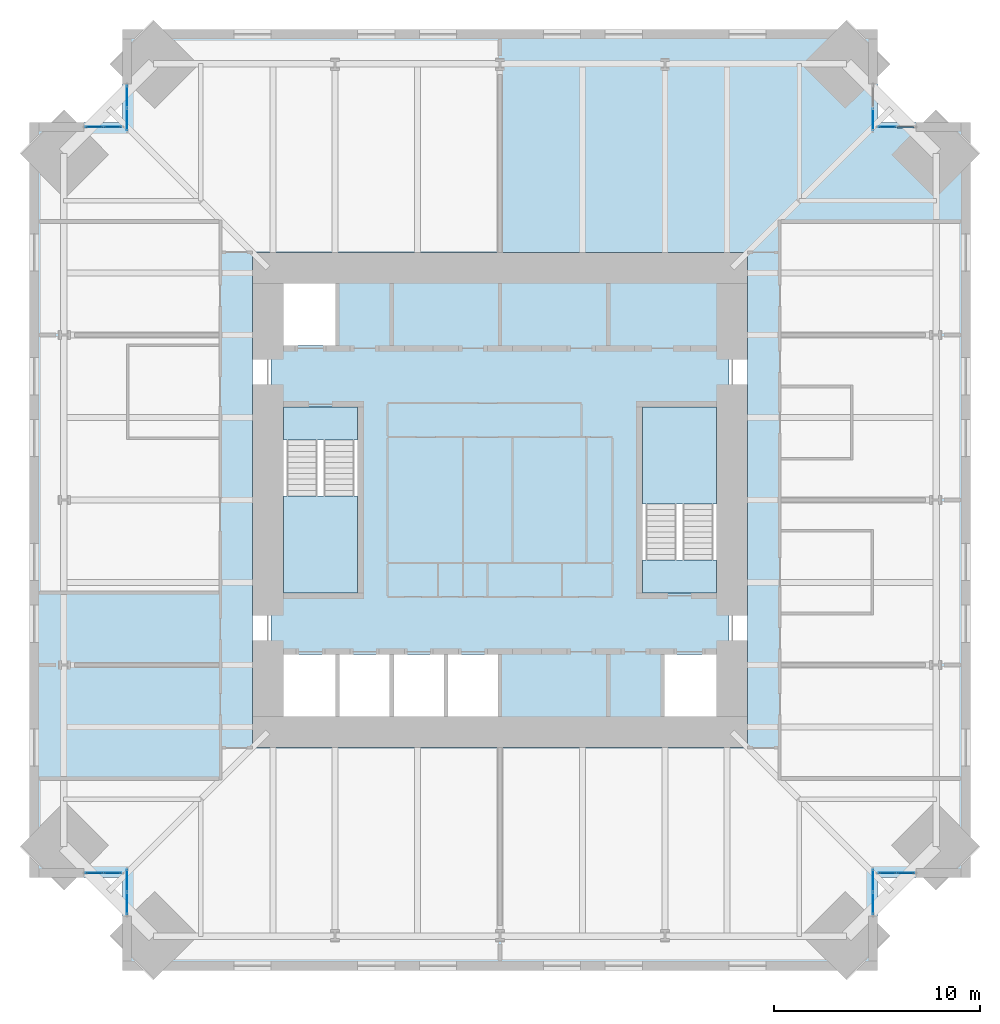
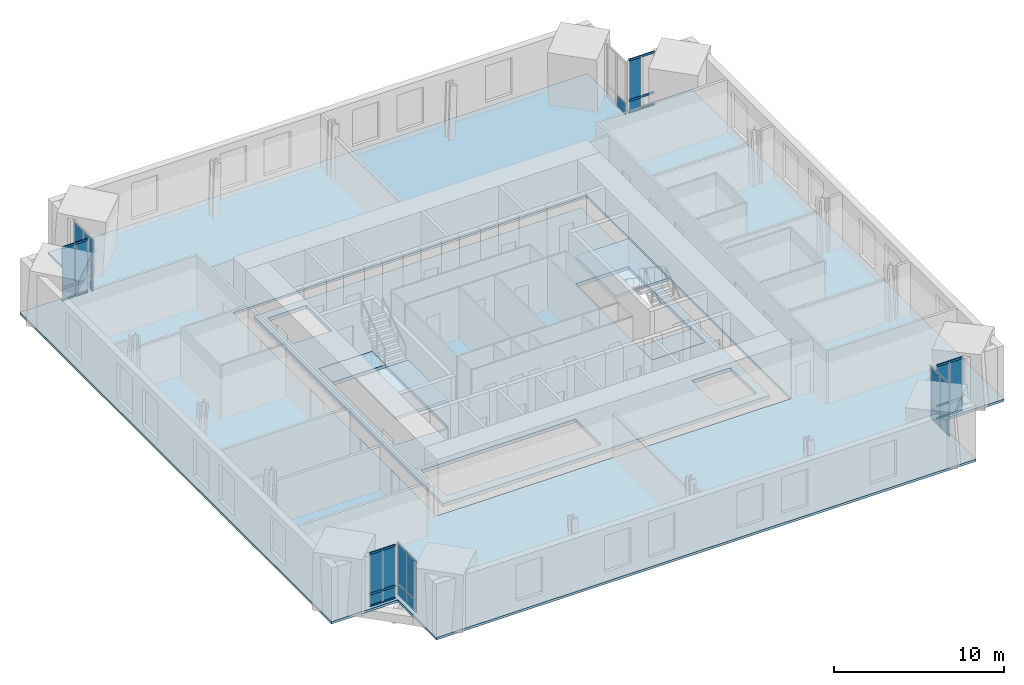
# One storey, part 9 of 15: 27 plates, 24 members, 6 slabs, 10 elements without a shape of their own.
"""IFC4 building model written with IfcOpenShell, lengths in metres."""

import ifcopenshell
import ifcopenshell.guid

model = None  # the IFC model being written
_history = None  # IfcOwnerHistory: only IFC2X3 demands one
_inside = {}  # id of a spatial element -> (the spatial element, [elements in it])
_under = {}  # id of a project, library or spatial element -> (it, [spatial elements below it])
_declared = {}  # id of a project -> (the project, [libraries it declares])
_typed = {}  # id of a type object -> (the type object, [elements of that type])
_made_of = {}  # id of a material, layer set ... -> (it, [elements and type objects made of it])


def new_model(schema):
    """Start an empty IFC model of exactly this schema.

    Asked for "IFC4X3", IfcOpenShell would pick the latest addendum, in which some entities
    have other attributes; the version numbers below select the first issue.
    IFC2X3 requires an IfcOwnerHistory on every rooted entity: one is made here for all.
    """
    global model, _history
    if schema == "IFC4X3":
        model = ifcopenshell.file(schema_version=(4, 3, 0, 0))
    else:
        model = ifcopenshell.file(schema=schema)
    _inside.clear()
    _under.clear()
    _declared.clear()
    _typed.clear()
    _made_of.clear()
    _history = None
    if model.schema == "IFC2X3":
        org = make("IfcOrganization", Name="unknown")
        user = make(
            "IfcPersonAndOrganization",
            ThePerson=make("IfcPerson", FamilyName="unknown"),
            TheOrganization=org,
        )
        app = make(
            "IfcApplication",
            ApplicationDeveloper=org,
            Version="unknown",
            ApplicationFullName="unknown",
            ApplicationIdentifier="unknown",
        )
        _history = make(
            "IfcOwnerHistory",
            OwningUser=user,
            OwningApplication=app,
            ChangeAction="ADDED",
            CreationDate=0,
        )
    return model


def make(cls, **values):
    """One entity of the class cls with the attributes given. An attribute that is None is left unset."""
    return model.create_entity(
        cls, **{name: value for name, value in values.items() if value is not None}
    )


def rooted(cls, **values):
    """An entity with a GlobalId (a new one), such as an element, a storey or a relation."""
    return make(cls, GlobalId=ifcopenshell.guid.new(), OwnerHistory=_history, **values)


def si_unit(unit_type, name, prefix=None):
    """IfcSIUnit, for example si_unit("LENGTHUNIT", "METRE", prefix="MILLI")."""
    return make("IfcSIUnit", UnitType=unit_type, Prefix=prefix, Name=name)


def assignment(units):
    """IfcUnitAssignment: the units of a project."""
    return None if units is None else make("IfcUnitAssignment", Units=units)


def point(xyz):
    """IfcCartesianPoint."""
    return None if xyz is None else make("IfcCartesianPoint", Coordinates=xyz)


def direction(xyz):
    """IfcDirection."""
    return None if xyz is None else make("IfcDirection", DirectionRatios=xyz)


def frame(location, z_axis=None, x_axis=None):
    """IfcAxis2Placement3D, a coordinate frame: its origin and axes. An axis left out is left unset."""
    return make(
        "IfcAxis2Placement3D",
        Location=point(location),
        Axis=direction(z_axis),
        RefDirection=direction(x_axis),
    )


def frame_2d(location, x_axis=None):
    """IfcAxis2Placement2D, a coordinate frame in the plane: its origin and x axis."""
    return make(
        "IfcAxis2Placement2D", Location=point(location), RefDirection=direction(x_axis)
    )


def origin():
    """The frame at (0, 0, 0) with its axes left unset."""
    return frame((0.0, 0.0, 0.0))


def origin_2d():
    """The frame at (0, 0) in the plane with its x axis left unset."""
    return frame_2d((0.0, 0.0))


def place(relative_to, where):
    """IfcLocalPlacement: puts the frame where relative to a parent placement (None: the world)."""
    return make(
        "IfcLocalPlacement", PlacementRelTo=relative_to, RelativePlacement=where
    )


def context(
    kind, dimensions, precision=None, world=None, true_north=None, identifier=None
):
    """IfcGeometricRepresentationContext, for example the 3D "Model" context."""
    return make(
        "IfcGeometricRepresentationContext",
        ContextIdentifier=identifier,
        ContextType=kind,
        CoordinateSpaceDimension=dimensions,
        Precision=precision,
        WorldCoordinateSystem=world,
        TrueNorth=true_north,
    )


def subcontext(parent, identifier, kind, view, scale=None):
    """IfcGeometricRepresentationSubContext, for example "Body" below "Model"."""
    return make(
        "IfcGeometricRepresentationSubContext",
        ContextIdentifier=identifier,
        ContextType=kind,
        ParentContext=parent,
        TargetScale=scale,
        TargetView=view,
    )


def project(units=None, contexts=None):
    """IfcProject with its units and contexts."""
    return rooted(
        "IfcProject",
        Name="project",
        RepresentationContexts=contexts,
        UnitsInContext=assignment(units),
    )


def spatial(cls, under=None, at=None, **own):
    """A site, building, storey or space (cls), placed at a placement, below another one or the project."""
    s = rooted(cls, ObjectPlacement=at, **own)
    if under is not None:
        _under.setdefault(under.id(), (under, []))[1].append(s)
    return s


def polyline(points):
    """IfcPolyline through the points."""
    return make("IfcPolyline", Points=[point(p) for p in points])


def profile(cls, at=None, kind="AREA", **sizes):
    """A parametric profile (cls). Its sizes go by their IFC names, for example OverallWidth=200.0."""
    return make(cls, ProfileType=kind, Position=at, **sizes)


def rectangle(**sizes):
    """IfcRectangleProfileDef."""
    return profile("IfcRectangleProfileDef", **sizes)


def hollow_rectangle(**sizes):
    """IfcRectangleHollowProfileDef."""
    return profile("IfcRectangleHollowProfileDef", **sizes)


def outline(outer, holes=None, kind="AREA"):
    """IfcArbitraryClosedProfileDef: a profile drawn as a closed curve; with holes, ...WithVoids."""
    if holes is None:
        return make("IfcArbitraryClosedProfileDef", ProfileType=kind, OuterCurve=outer)
    return make(
        "IfcArbitraryProfileDefWithVoids",
        ProfileType=kind,
        OuterCurve=outer,
        InnerCurves=holes,
    )


def extrude(swept, where, along, depth):
    """IfcExtrudedAreaSolid: the profile swept, set in the frame where, extruded along a direction by depth."""
    return make(
        "IfcExtrudedAreaSolid",
        SweptArea=swept,
        Position=where,
        ExtrudedDirection=direction(along),
        Depth=depth,
    )


def shape(context_of_items, identifier, shape_type, items):
    """IfcShapeRepresentation: the items that make up one representation, for example the "Body"."""
    return make(
        "IfcShapeRepresentation",
        ContextOfItems=context_of_items,
        RepresentationIdentifier=identifier,
        RepresentationType=shape_type,
        Items=items,
    )


def material(Name=None, Category=None):
    """IfcMaterial."""
    return make("IfcMaterial", Name=Name, Category=Category)


def layer(
    of_material, thickness, ventilated=None, Name=None, Category=None, Priority=None
):
    """IfcMaterialLayer: one layer of a wall or slab, of a material (None: an air gap)."""
    return make(
        "IfcMaterialLayer",
        Material=of_material,
        LayerThickness=thickness,
        IsVentilated=ventilated,
        Name=Name,
        Category=Category,
        Priority=Priority,
    )


def layer_set(layers, Name=None):
    """IfcMaterialLayerSet."""
    return make("IfcMaterialLayerSet", MaterialLayers=layers, LayerSetName=Name)


def material_profile(
    of_material, cross_section, Name=None, Category=None, Priority=None
):
    """IfcMaterialProfile: a cross section and its material."""
    return make(
        "IfcMaterialProfile",
        Name=Name,
        Material=of_material,
        Profile=cross_section,
        Priority=Priority,
        Category=Category,
    )


def profile_set(profiles, Name=None, composite=None):
    """IfcMaterialProfileSet."""
    return make(
        "IfcMaterialProfileSet",
        Name=Name,
        MaterialProfiles=profiles,
        CompositeProfile=composite,
    )


def made_of(thing, what):
    """Note that an element or type object is made of a material, layer set ...; save() writes the relation."""
    if what is not None:
        _made_of.setdefault(what.id(), (what, []))[1].append(thing)
    return thing


def type_object(cls, material=None, **own):
    """A type object (cls), such as IfcWallType, which elements share."""
    return made_of(rooted(cls, **own), material)


def element(
    cls,
    number,
    at=None,
    inside=None,
    cuts=None,
    type_object=None,
    material=None,
    context=None,
    identifier="Body",
    shape_type=None,
    held_by="IfcProductDefinitionShape",
    body=None,
    shapes=None,
    **own,
):
    """One element of the class cls, such as IfcWall. Its Tag is "e" and its number.

    at: its placement. inside: the storey or other place that contains it. cuts: it is an
    opening in that element (IfcRelVoidsElement). A single representation is given by context,
    identifier, shape_type and body (its items); several are given by shapes. held_by: the class
    of the entity that holds the representations. save() writes the other relations.
    """
    e = rooted(cls, Tag="e%d" % number, ObjectPlacement=at, **own)
    if body is not None:
        shapes = [shape(context, identifier, shape_type, body)]
    if shapes is not None:
        e.Representation = make(held_by, Representations=shapes)
    if inside is not None:
        _inside.setdefault(inside.id(), (inside, []))[1].append(e)
    if cuts is not None:
        rooted(
            "IfcRelVoidsElement", RelatingBuildingElement=cuts, RelatedOpeningElement=e
        )
    if type_object is not None:
        _typed.setdefault(type_object.id(), (type_object, []))[1].append(e)
    return made_of(e, material)


def aggregate(whole, parts):
    """IfcRelAggregates: a whole, such as a stair, and the parts it consists of."""
    return rooted("IfcRelAggregates", RelatingObject=whole, RelatedObjects=parts)


def save(model, path):
    """Write the relations noted so far, then the file.

    IfcRelAggregates (storeys below a building ...), IfcRelContainedInSpatialStructure (elements
    in a storey), IfcRelDefinesByType, IfcRelAssociatesMaterial and IfcRelDeclares: one each for
    every whole, place, type object, material and project.
    """
    for whole, parts in _under.values():
        aggregate(whole, parts)
    for where, things in _inside.values():
        rooted(
            "IfcRelContainedInSpatialStructure",
            RelatedElements=things,
            RelatingStructure=where,
        )
    for kind, things in _typed.values():
        rooted("IfcRelDefinesByType", RelatedObjects=things, RelatingType=kind)
    for what, things in _made_of.values():
        rooted("IfcRelAssociatesMaterial", RelatedObjects=things, RelatingMaterial=what)
    for by, libraries in _declared.values():
        rooted("IfcRelDeclares", RelatingContext=by, RelatedDefinitions=libraries)
    model.write(path)


model = new_model("IFC4")

# Units and contexts
model_context = context("Model", 3, precision=1e-05, world=origin(), true_north=direction((0.0, 1.0)))
body_context = subcontext(model_context, "Body", "Model", "MODEL_VIEW")
ifc_project = project(units=[si_unit("LENGTHUNIT", "METRE"), si_unit("AREAUNIT", "SQUARE_METRE"), si_unit("VOLUMEUNIT", "CUBIC_METRE"), si_unit("PLANEANGLEUNIT", "RADIAN"), si_unit("MASSUNIT", "GRAM", prefix="KILO")], contexts=[model_context])

# Site, building, storey
site_placement = place(None, origin())
site = spatial("IfcSite", under=ifc_project, at=site_placement, CompositionType="ELEMENT")
building_placement = place(site_placement, origin())
building = spatial("IfcBuilding", under=site, at=building_placement, Name="Peilmerk Tower", CompositionType="ELEMENT")
storey_placement = place(building_placement, frame((0.0, 0.0, 241.800048828125)))
storey = spatial("IfcBuildingStorey", under=building, at=storey_placement, Name="L53", CompositionType="ELEMENT", Elevation=241.800048828125)

# Curtain wall, members
ifc_material_1 = material(Name="Aluminium stick curtain wall", Category="aluminium")
curtain_wall_type = type_object("IfcCurtainWallType", Name="CW4 stick curtain wall, 2250 module", PredefinedType="NOTDEFINED", material=ifc_material_1)
curtain_wall_1_placement = place(storey_placement, origin())
curtain_wall_1 = element("IfcCurtainWall", 1, at=curtain_wall_1_placement, inside=storey, type_object=curtain_wall_type, Name="Curtain wall CW4 NEB L53", PredefinedType="NOTDEFINED")
ifc_material_2 = material(Name="Aluminium EN AW-6063 T6", Category="aluminium")
ifc_material_profile = material_profile(ifc_material_2, hollow_rectangle(XDim=0.06494140625, YDim=0.14990234375, WallThickness=0.0029296875, at=origin_2d()), Name="AL 150x65x3")
ifc_profile_set = profile_set([ifc_material_profile], Name="Aluminium EN AW-6063 T6")
member_type = type_object("IfcMemberType", Name="CW4-T AL 150x65x3 transom", PredefinedType="USERDEFINED", material=ifc_profile_set)
member_1_placement = place(storey_placement, frame((18.364990234375, 18.074951171875, 0.032470703125), z_axis=(1.0, 0.0, 0.0), x_axis=(0.0, 1.0, 0.0)))
member_1 = element("IfcMember", 2, at=member_1_placement, type_object=member_type, Name="CW4 transom 1.1", ObjectType="TRANSOM", PredefinedType="USERDEFINED", context=body_context, shape_type="SweptSolid", body=[
    extrude(hollow_rectangle(XDim=0.06494140625, YDim=0.14990234375, WallThickness=0.0029296875, at=origin_2d()), origin(), (0.0, 0.0, 1.0), 0.82177734375),
])
member_2_placement = place(storey_placement, frame((18.364990234375, 18.074951171875, 0.89990234375), z_axis=(1.0, 0.0, 0.0), x_axis=(0.0, 1.0, 0.0)))
member_2 = element("IfcMember", 3, at=member_2_placement, type_object=member_type, Name="CW4 transom 1.2", ObjectType="TRANSOM", PredefinedType="USERDEFINED", context=body_context, shape_type="SweptSolid", body=[
    extrude(hollow_rectangle(XDim=0.06494140625, YDim=0.14990234375, WallThickness=0.0029296875, at=origin_2d()), origin(), (0.0, 0.0, 1.0), 0.82177734375),
])
member_3_placement = place(storey_placement, frame((18.364990234375, 18.074951171875, 3.79736328125), z_axis=(1.0, 0.0, 0.0), x_axis=(0.0, 1.0, 0.0)))
member_3 = element("IfcMember", 4, at=member_3_placement, type_object=member_type, Name="CW4 transom 1.3", ObjectType="TRANSOM", PredefinedType="USERDEFINED", context=body_context, shape_type="SweptSolid", body=[
    extrude(hollow_rectangle(XDim=0.06494140625, YDim=0.14990234375, WallThickness=0.0029296875, at=origin_2d()), origin(), (0.0, 0.0, 1.0), 0.82177734375),
])
member_4_placement = place(storey_placement, frame((19.251953125, 18.074951171875, 0.032470703125), z_axis=(1.0, 0.0, 0.0), x_axis=(0.0, 1.0, 0.0)))
member_4 = element("IfcMember", 5, at=member_4_placement, type_object=member_type, Name="CW4 transom 2.1", ObjectType="TRANSOM", PredefinedType="USERDEFINED", context=body_context, shape_type="SweptSolid", body=[
    extrude(hollow_rectangle(XDim=0.06494140625, YDim=0.14990234375, WallThickness=0.0029296875, at=origin_2d()), origin(), (0.0, 0.0, 1.0), 0.82177734375),
])
member_5_placement = place(storey_placement, frame((19.251953125, 18.074951171875, 0.89990234375), z_axis=(1.0, 0.0, 0.0), x_axis=(0.0, 1.0, 0.0)))
member_5 = element("IfcMember", 6, at=member_5_placement, type_object=member_type, Name="CW4 transom 2.2", ObjectType="TRANSOM", PredefinedType="USERDEFINED", context=body_context, shape_type="SweptSolid", body=[
    extrude(hollow_rectangle(XDim=0.06494140625, YDim=0.14990234375, WallThickness=0.0029296875, at=origin_2d()), origin(), (0.0, 0.0, 1.0), 0.82177734375),
])
member_6_placement = place(storey_placement, frame((19.251953125, 18.074951171875, 3.79736328125), z_axis=(1.0, 0.0, 0.0), x_axis=(0.0, 1.0, 0.0)))
member_6 = element("IfcMember", 7, at=member_6_placement, type_object=member_type, Name="CW4 transom 2.3", ObjectType="TRANSOM", PredefinedType="USERDEFINED", context=body_context, shape_type="SweptSolid", body=[
    extrude(hollow_rectangle(XDim=0.06494140625, YDim=0.14990234375, WallThickness=0.0029296875, at=origin_2d()), origin(), (0.0, 0.0, 1.0), 0.82177734375),
])

curtain_wall_2_placement = place(storey_placement, origin())
curtain_wall_2 = element("IfcCurtainWall", 8, at=curtain_wall_2_placement, inside=storey, type_object=curtain_wall_type, Name="Curtain wall CW4 SEB L53", PredefinedType="NOTDEFINED")
member_7_placement = place(storey_placement, frame((18.364990234375, -18.074951171875, 0.032470703125), z_axis=(1.0, 0.0, 0.0), x_axis=(0.0, 1.0, 0.0)))
member_7 = element("IfcMember", 9, at=member_7_placement, type_object=member_type, Name="CW4 transom 1.1", ObjectType="TRANSOM", PredefinedType="USERDEFINED", context=body_context, shape_type="SweptSolid", body=[
    extrude(hollow_rectangle(XDim=0.06494140625, YDim=0.14990234375, WallThickness=0.0029296875, at=origin_2d()), origin(), (0.0, 0.0, 1.0), 0.82177734375),
])
member_8_placement = place(storey_placement, frame((18.364990234375, -18.074951171875, 0.89990234375), z_axis=(1.0, 0.0, 0.0), x_axis=(0.0, 1.0, 0.0)))
member_8 = element("IfcMember", 10, at=member_8_placement, type_object=member_type, Name="CW4 transom 1.2", ObjectType="TRANSOM", PredefinedType="USERDEFINED", context=body_context, shape_type="SweptSolid", body=[
    extrude(hollow_rectangle(XDim=0.06494140625, YDim=0.14990234375, WallThickness=0.0029296875, at=origin_2d()), origin(), (0.0, 0.0, 1.0), 0.82177734375),
])
member_9_placement = place(storey_placement, frame((18.364990234375, -18.074951171875, 3.79736328125), z_axis=(1.0, 0.0, 0.0), x_axis=(0.0, 1.0, 0.0)))
member_9 = element("IfcMember", 11, at=member_9_placement, type_object=member_type, Name="CW4 transom 1.3", ObjectType="TRANSOM", PredefinedType="USERDEFINED", context=body_context, shape_type="SweptSolid", body=[
    extrude(hollow_rectangle(XDim=0.06494140625, YDim=0.14990234375, WallThickness=0.0029296875, at=origin_2d()), origin(), (0.0, 0.0, 1.0), 0.82177734375),
])
member_10_placement = place(storey_placement, frame((19.251953125, -18.074951171875, 0.032470703125), z_axis=(1.0, 0.0, 0.0), x_axis=(0.0, 1.0, 0.0)))
member_10 = element("IfcMember", 12, at=member_10_placement, type_object=member_type, Name="CW4 transom 2.1", ObjectType="TRANSOM", PredefinedType="USERDEFINED", context=body_context, shape_type="SweptSolid", body=[
    extrude(hollow_rectangle(XDim=0.06494140625, YDim=0.14990234375, WallThickness=0.0029296875, at=origin_2d()), origin(), (0.0, 0.0, 1.0), 0.82177734375),
])
member_11_placement = place(storey_placement, frame((19.251953125, -18.074951171875, 0.89990234375), z_axis=(1.0, 0.0, 0.0), x_axis=(0.0, 1.0, 0.0)))
member_11 = element("IfcMember", 13, at=member_11_placement, type_object=member_type, Name="CW4 transom 2.2", ObjectType="TRANSOM", PredefinedType="USERDEFINED", context=body_context, shape_type="SweptSolid", body=[
    extrude(hollow_rectangle(XDim=0.06494140625, YDim=0.14990234375, WallThickness=0.0029296875, at=origin_2d()), origin(), (0.0, 0.0, 1.0), 0.82177734375),
])
member_12_placement = place(storey_placement, frame((19.251953125, -18.074951171875, 3.79736328125), z_axis=(1.0, 0.0, 0.0), x_axis=(0.0, 1.0, 0.0)))
member_12 = element("IfcMember", 14, at=member_12_placement, type_object=member_type, Name="CW4 transom 2.3", ObjectType="TRANSOM", PredefinedType="USERDEFINED", context=body_context, shape_type="SweptSolid", body=[
    extrude(hollow_rectangle(XDim=0.06494140625, YDim=0.14990234375, WallThickness=0.0029296875, at=origin_2d()), origin(), (0.0, 0.0, 1.0), 0.82177734375),
])

curtain_wall_3_placement = place(storey_placement, origin())
curtain_wall_3 = element("IfcCurtainWall", 15, at=curtain_wall_3_placement, inside=storey, type_object=curtain_wall_type, Name="Curtain wall CW4 SWB L53", PredefinedType="NOTDEFINED")
member_13_placement = place(storey_placement, frame((-18.364990234375, -18.074951171875, 0.032470703125), z_axis=(-1.0, 0.0, 0.0), x_axis=(0.0, -1.0, 0.0)))
member_13 = element("IfcMember", 16, at=member_13_placement, type_object=member_type, Name="CW4 transom 1.1", ObjectType="TRANSOM", PredefinedType="USERDEFINED", context=body_context, shape_type="SweptSolid", body=[
    extrude(hollow_rectangle(XDim=0.06494140625, YDim=0.14990234375, WallThickness=0.0029296875, at=origin_2d()), origin(), (0.0, 0.0, 1.0), 0.82177734375),
])
member_14_placement = place(storey_placement, frame((-18.364990234375, -18.074951171875, 0.89990234375), z_axis=(-1.0, 0.0, 0.0), x_axis=(0.0, -1.0, 0.0)))
member_14 = element("IfcMember", 17, at=member_14_placement, type_object=member_type, Name="CW4 transom 1.2", ObjectType="TRANSOM", PredefinedType="USERDEFINED", context=body_context, shape_type="SweptSolid", body=[
    extrude(hollow_rectangle(XDim=0.06494140625, YDim=0.14990234375, WallThickness=0.0029296875, at=origin_2d()), origin(), (0.0, 0.0, 1.0), 0.82177734375),
])
member_15_placement = place(storey_placement, frame((-18.364990234375, -18.074951171875, 3.79736328125), z_axis=(-1.0, 0.0, 0.0), x_axis=(0.0, -1.0, 0.0)))
member_15 = element("IfcMember", 18, at=member_15_placement, type_object=member_type, Name="CW4 transom 1.3", ObjectType="TRANSOM", PredefinedType="USERDEFINED", context=body_context, shape_type="SweptSolid", body=[
    extrude(hollow_rectangle(XDim=0.06494140625, YDim=0.14990234375, WallThickness=0.0029296875, at=origin_2d()), origin(), (0.0, 0.0, 1.0), 0.82177734375),
])
member_16_placement = place(storey_placement, frame((-19.251953125, -18.074951171875, 0.032470703125), z_axis=(-1.0, 0.0, 0.0), x_axis=(0.0, -1.0, 0.0)))
member_16 = element("IfcMember", 19, at=member_16_placement, type_object=member_type, Name="CW4 transom 2.1", ObjectType="TRANSOM", PredefinedType="USERDEFINED", context=body_context, shape_type="SweptSolid", body=[
    extrude(hollow_rectangle(XDim=0.06494140625, YDim=0.14990234375, WallThickness=0.0029296875, at=origin_2d()), origin(), (0.0, 0.0, 1.0), 0.82177734375),
])
member_17_placement = place(storey_placement, frame((-19.251953125, -18.074951171875, 0.89990234375), z_axis=(-1.0, 0.0, 0.0), x_axis=(0.0, -1.0, 0.0)))
member_17 = element("IfcMember", 20, at=member_17_placement, type_object=member_type, Name="CW4 transom 2.2", ObjectType="TRANSOM", PredefinedType="USERDEFINED", context=body_context, shape_type="SweptSolid", body=[
    extrude(hollow_rectangle(XDim=0.06494140625, YDim=0.14990234375, WallThickness=0.0029296875, at=origin_2d()), origin(), (0.0, 0.0, 1.0), 0.82177734375),
])
member_18_placement = place(storey_placement, frame((-19.251953125, -18.074951171875, 3.79736328125), z_axis=(-1.0, 0.0, 0.0), x_axis=(0.0, -1.0, 0.0)))
member_18 = element("IfcMember", 21, at=member_18_placement, type_object=member_type, Name="CW4 transom 2.3", ObjectType="TRANSOM", PredefinedType="USERDEFINED", context=body_context, shape_type="SweptSolid", body=[
    extrude(hollow_rectangle(XDim=0.06494140625, YDim=0.14990234375, WallThickness=0.0029296875, at=origin_2d()), origin(), (0.0, 0.0, 1.0), 0.82177734375),
])

curtain_wall_4_placement = place(storey_placement, origin())
curtain_wall_4 = element("IfcCurtainWall", 22, at=curtain_wall_4_placement, inside=storey, type_object=curtain_wall_type, Name="Curtain wall CW4 NWB L53", PredefinedType="NOTDEFINED")
member_19_placement = place(storey_placement, frame((-18.364990234375, 18.074951171875, 0.032470703125), z_axis=(-1.0, 0.0, 0.0), x_axis=(0.0, -1.0, 0.0)))
member_19 = element("IfcMember", 23, at=member_19_placement, type_object=member_type, Name="CW4 transom 1.1", ObjectType="TRANSOM", PredefinedType="USERDEFINED", context=body_context, shape_type="SweptSolid", body=[
    extrude(hollow_rectangle(XDim=0.06494140625, YDim=0.14990234375, WallThickness=0.0029296875, at=origin_2d()), origin(), (0.0, 0.0, 1.0), 0.82177734375),
])
member_20_placement = place(storey_placement, frame((-18.364990234375, 18.074951171875, 0.89990234375), z_axis=(-1.0, 0.0, 0.0), x_axis=(0.0, -1.0, 0.0)))
member_20 = element("IfcMember", 24, at=member_20_placement, type_object=member_type, Name="CW4 transom 1.2", ObjectType="TRANSOM", PredefinedType="USERDEFINED", context=body_context, shape_type="SweptSolid", body=[
    extrude(hollow_rectangle(XDim=0.06494140625, YDim=0.14990234375, WallThickness=0.0029296875, at=origin_2d()), origin(), (0.0, 0.0, 1.0), 0.82177734375),
])
member_21_placement = place(storey_placement, frame((-18.364990234375, 18.074951171875, 3.79736328125), z_axis=(-1.0, 0.0, 0.0), x_axis=(0.0, -1.0, 0.0)))
member_21 = element("IfcMember", 25, at=member_21_placement, type_object=member_type, Name="CW4 transom 1.3", ObjectType="TRANSOM", PredefinedType="USERDEFINED", context=body_context, shape_type="SweptSolid", body=[
    extrude(hollow_rectangle(XDim=0.06494140625, YDim=0.14990234375, WallThickness=0.0029296875, at=origin_2d()), origin(), (0.0, 0.0, 1.0), 0.82177734375),
])
member_22_placement = place(storey_placement, frame((-19.251953125, 18.074951171875, 0.032470703125), z_axis=(-1.0, 0.0, 0.0), x_axis=(0.0, -1.0, 0.0)))
member_22 = element("IfcMember", 26, at=member_22_placement, type_object=member_type, Name="CW4 transom 2.1", ObjectType="TRANSOM", PredefinedType="USERDEFINED", context=body_context, shape_type="SweptSolid", body=[
    extrude(hollow_rectangle(XDim=0.06494140625, YDim=0.14990234375, WallThickness=0.0029296875, at=origin_2d()), origin(), (0.0, 0.0, 1.0), 0.82177734375),
])
member_23_placement = place(storey_placement, frame((-19.251953125, 18.074951171875, 0.89990234375), z_axis=(-1.0, 0.0, 0.0), x_axis=(0.0, -1.0, 0.0)))
member_23 = element("IfcMember", 27, at=member_23_placement, type_object=member_type, Name="CW4 transom 2.2", ObjectType="TRANSOM", PredefinedType="USERDEFINED", context=body_context, shape_type="SweptSolid", body=[
    extrude(hollow_rectangle(XDim=0.06494140625, YDim=0.14990234375, WallThickness=0.0029296875, at=origin_2d()), origin(), (0.0, 0.0, 1.0), 0.82177734375),
])
member_24_placement = place(storey_placement, frame((-19.251953125, 18.074951171875, 3.79736328125), z_axis=(-1.0, 0.0, 0.0), x_axis=(0.0, -1.0, 0.0)))
member_24 = element("IfcMember", 28, at=member_24_placement, type_object=member_type, Name="CW4 transom 2.3", ObjectType="TRANSOM", PredefinedType="USERDEFINED", context=body_context, shape_type="SweptSolid", body=[
    extrude(hollow_rectangle(XDim=0.06494140625, YDim=0.14990234375, WallThickness=0.0029296875, at=origin_2d()), origin(), (0.0, 0.0, 1.0), 0.82177734375),
])

# Slab
ifc_material_3 = material(Name="Concrete C55/67", Category="concrete")
ifc_layer_1 = layer(ifc_material_3, 0.25)
ifc_layer_set_1 = layer_set([ifc_layer_1], Name="Concrete C55/67")
slab_type_1 = type_object("IfcSlabType", Name="CS250 250 core floor slab", PredefinedType="FLOOR", material=ifc_layer_set_1)
slab_1_placement = place(storey_placement, frame((0.0, 0.0, -0.25)))
element("IfcSlab", 29, at=slab_1_placement, inside=storey, type_object=slab_type_1, Name="Core slab L53", PredefinedType="FLOOR", context=body_context, shape_type="SweptSolid", body=[
    extrude(outline(polyline([(11.10009765625, -11.10009765625), (11.10009765625, 11.10009765625), (-11.10009765625, 11.10009765625), (-11.10009765625, -11.10009765625), (11.10009765625, -11.10009765625)]), holes=[polyline([(-7.875, 7.5), (-10.5, 7.5), (-10.5, 10.5), (-7.875, 10.5), (-7.875, 7.5)]), polyline([(0.0, -10.5), (-10.5, -10.5), (-10.5, -7.5), (0.0, -7.5), (0.0, -10.5)]), polyline([(7.875, -10.5), (7.875, -7.5), (10.5, -7.5), (10.5, -10.5), (7.875, -10.5)]), polyline([(-10.5, 4.5), (-6.89990234375, 4.5), (-6.89990234375, -4.5), (-10.5, -4.5), (-10.5, 4.5)]), polyline([(10.5, 4.5), (10.5, -4.5), (6.89990234375, -4.5), (6.89990234375, 4.5), (10.5, 4.5)])]), origin(), (0.0, 0.0, 1.0), 0.25),
])

# Curtain wall, plate
curtain_wall_5_placement = place(storey_placement, origin())
curtain_wall_5 = element("IfcCurtainWall", 30, at=curtain_wall_5_placement, inside=storey, type_object=curtain_wall_type, Name="Curtain wall CW4 NEA L53", PredefinedType="NOTDEFINED")
ifc_material_4 = material(Name="Clear insulated glazing unit", Category="glass")
ifc_layer_2 = layer(ifc_material_4, 0.028076171875)
ifc_layer_set_2 = layer_set([ifc_layer_2], Name="Clear insulated glazing unit")
plate_type = type_object("IfcPlateType", Name="CW4-P 28 glazed panel", PredefinedType="CURTAIN_PANEL", material=ifc_layer_set_2)
plate_1_placement = place(storey_placement, frame((18.074951171875, 18.4384765625, 0.06494140625), z_axis=(0.0, 0.0, 1.0), x_axis=(0.0, 1.0, 0.0)))
plate_1 = element("IfcPlate", 31, at=plate_1_placement, type_object=plate_type, Name="CW4 panel 1.1", PredefinedType="CURTAIN_PANEL", context=body_context, shape_type="SweptSolid", body=[
    extrude(rectangle(XDim=1.046875, YDim=0.028076171875, at=origin_2d()), origin(), (0.0, 0.0, 1.0), 0.802490234375),
])
aggregate(curtain_wall_5, [plate_1])

# Plate
plate_2_placement = place(storey_placement, frame((18.77587890625, 18.074951171875, 0.06494140625), z_axis=(0.0, 0.0, 1.0), x_axis=(1.0, 0.0, 0.0)))
plate_2 = element("IfcPlate", 32, at=plate_2_placement, type_object=plate_type, Name="CW4 panel 1.1", PredefinedType="CURTAIN_PANEL", context=body_context, shape_type="SweptSolid", body=[
    extrude(rectangle(XDim=0.82177734375, YDim=0.028076171875, at=origin_2d()), origin(), (0.0, 0.0, 1.0), 0.802490234375),
])

plate_3_placement = place(storey_placement, frame((18.77587890625, 18.074951171875, 0.932373046875), z_axis=(0.0, 0.0, 1.0), x_axis=(1.0, 0.0, 0.0)))
plate_3 = element("IfcPlate", 33, at=plate_3_placement, type_object=plate_type, Name="CW4 panel 1.2", PredefinedType="CURTAIN_PANEL", context=body_context, shape_type="SweptSolid", body=[
    extrude(rectangle(XDim=0.82177734375, YDim=0.028076171875, at=origin_2d()), origin(), (0.0, 0.0, 1.0), 2.83251953125),
])

aggregate(curtain_wall_1, [member_1, member_2, member_3, plate_2, plate_3, member_4, member_5, member_6])

# Curtain wall, plates
curtain_wall_6_placement = place(storey_placement, origin())
curtain_wall_6 = element("IfcCurtainWall", 34, at=curtain_wall_6_placement, inside=storey, type_object=curtain_wall_type, Name="Curtain wall CW4 SEA L53", PredefinedType="NOTDEFINED")
plate_4_placement = place(storey_placement, frame((18.074951171875, -18.4384765625, 0.06494140625), z_axis=(0.0, 0.0, 1.0), x_axis=(0.0, -1.0, 0.0)))
plate_4 = element("IfcPlate", 35, at=plate_4_placement, type_object=plate_type, Name="CW4 panel 1.1", PredefinedType="CURTAIN_PANEL", context=body_context, shape_type="SweptSolid", body=[
    extrude(rectangle(XDim=1.046875, YDim=0.028076171875, at=origin_2d()), origin(), (0.0, 0.0, 1.0), 0.802490234375),
])
plate_5_placement = place(storey_placement, frame((18.074951171875, -18.4384765625, 0.932373046875), z_axis=(0.0, 0.0, 1.0), x_axis=(0.0, -1.0, 0.0)))
plate_5 = element("IfcPlate", 36, at=plate_5_placement, type_object=plate_type, Name="CW4 panel 1.2", PredefinedType="CURTAIN_PANEL", context=body_context, shape_type="SweptSolid", body=[
    extrude(rectangle(XDim=1.046875, YDim=0.028076171875, at=origin_2d()), origin(), (0.0, 0.0, 1.0), 2.83251953125),
])
plate_6_placement = place(storey_placement, frame((18.074951171875, -19.55029296875, 0.06494140625), z_axis=(0.0, 0.0, 1.0), x_axis=(0.0, -1.0, 0.0)))
plate_6 = element("IfcPlate", 37, at=plate_6_placement, type_object=plate_type, Name="CW4 panel 2.1", PredefinedType="CURTAIN_PANEL", context=body_context, shape_type="SweptSolid", body=[
    extrude(rectangle(XDim=1.046875, YDim=0.028076171875, at=origin_2d()), origin(), (0.0, 0.0, 1.0), 0.802490234375),
])
plate_7_placement = place(storey_placement, frame((18.074951171875, -19.55029296875, 0.932373046875), z_axis=(0.0, 0.0, 1.0), x_axis=(0.0, -1.0, 0.0)))
plate_7 = element("IfcPlate", 38, at=plate_7_placement, type_object=plate_type, Name="CW4 panel 2.2", PredefinedType="CURTAIN_PANEL", context=body_context, shape_type="SweptSolid", body=[
    extrude(rectangle(XDim=1.046875, YDim=0.028076171875, at=origin_2d()), origin(), (0.0, 0.0, 1.0), 2.83251953125),
])
aggregate(curtain_wall_6, [plate_4, plate_5, plate_6, plate_7])

# Plate
plate_8_placement = place(storey_placement, frame((18.77587890625, -18.074951171875, 0.06494140625), z_axis=(0.0, 0.0, 1.0), x_axis=(1.0, 0.0, 0.0)))
plate_8 = element("IfcPlate", 39, at=plate_8_placement, type_object=plate_type, Name="CW4 panel 1.1", PredefinedType="CURTAIN_PANEL", context=body_context, shape_type="SweptSolid", body=[
    extrude(rectangle(XDim=0.82177734375, YDim=0.028076171875, at=origin_2d()), origin(), (0.0, 0.0, 1.0), 0.802490234375),
])

plate_9_placement = place(storey_placement, frame((18.77587890625, -18.074951171875, 0.932373046875), z_axis=(0.0, 0.0, 1.0), x_axis=(1.0, 0.0, 0.0)))
plate_9 = element("IfcPlate", 40, at=plate_9_placement, type_object=plate_type, Name="CW4 panel 1.2", PredefinedType="CURTAIN_PANEL", context=body_context, shape_type="SweptSolid", body=[
    extrude(rectangle(XDim=0.82177734375, YDim=0.028076171875, at=origin_2d()), origin(), (0.0, 0.0, 1.0), 2.83251953125),
])

plate_10_placement = place(storey_placement, frame((19.662841796875, -18.074951171875, 0.06494140625), z_axis=(0.0, 0.0, 1.0), x_axis=(1.0, 0.0, 0.0)))
plate_10 = element("IfcPlate", 41, at=plate_10_placement, type_object=plate_type, Name="CW4 panel 2.1", PredefinedType="CURTAIN_PANEL", context=body_context, shape_type="SweptSolid", body=[
    extrude(rectangle(XDim=0.82177734375, YDim=0.028076171875, at=origin_2d()), origin(), (0.0, 0.0, 1.0), 0.802490234375),
])

plate_11_placement = place(storey_placement, frame((19.662841796875, -18.074951171875, 0.932373046875), z_axis=(0.0, 0.0, 1.0), x_axis=(1.0, 0.0, 0.0)))
plate_11 = element("IfcPlate", 42, at=plate_11_placement, type_object=plate_type, Name="CW4 panel 2.2", PredefinedType="CURTAIN_PANEL", context=body_context, shape_type="SweptSolid", body=[
    extrude(rectangle(XDim=0.82177734375, YDim=0.028076171875, at=origin_2d()), origin(), (0.0, 0.0, 1.0), 2.83251953125),
])

aggregate(curtain_wall_2, [member_7, member_8, member_9, plate_8, plate_9, member_10, member_11, member_12, plate_10, plate_11])

# Curtain wall, plates
curtain_wall_7_placement = place(storey_placement, origin())
curtain_wall_7 = element("IfcCurtainWall", 43, at=curtain_wall_7_placement, inside=storey, type_object=curtain_wall_type, Name="Curtain wall CW4 SWA L53", PredefinedType="NOTDEFINED")
plate_12_placement = place(storey_placement, frame((-18.074951171875, -18.4384765625, 0.06494140625), z_axis=(0.0, 0.0, 1.0), x_axis=(0.0, -1.0, 0.0)))
plate_12 = element("IfcPlate", 44, at=plate_12_placement, type_object=plate_type, Name="CW4 panel 1.1", PredefinedType="CURTAIN_PANEL", context=body_context, shape_type="SweptSolid", body=[
    extrude(rectangle(XDim=1.046875, YDim=0.028076171875, at=origin_2d()), origin(), (0.0, 0.0, 1.0), 0.802490234375),
])
plate_13_placement = place(storey_placement, frame((-18.074951171875, -18.4384765625, 0.932373046875), z_axis=(0.0, 0.0, 1.0), x_axis=(0.0, -1.0, 0.0)))
plate_13 = element("IfcPlate", 45, at=plate_13_placement, type_object=plate_type, Name="CW4 panel 1.2", PredefinedType="CURTAIN_PANEL", context=body_context, shape_type="SweptSolid", body=[
    extrude(rectangle(XDim=1.046875, YDim=0.028076171875, at=origin_2d()), origin(), (0.0, 0.0, 1.0), 2.83251953125),
])
plate_14_placement = place(storey_placement, frame((-18.074951171875, -19.55029296875, 0.06494140625), z_axis=(0.0, 0.0, 1.0), x_axis=(0.0, -1.0, 0.0)))
plate_14 = element("IfcPlate", 46, at=plate_14_placement, type_object=plate_type, Name="CW4 panel 2.1", PredefinedType="CURTAIN_PANEL", context=body_context, shape_type="SweptSolid", body=[
    extrude(rectangle(XDim=1.046875, YDim=0.028076171875, at=origin_2d()), origin(), (0.0, 0.0, 1.0), 0.802490234375),
])
plate_15_placement = place(storey_placement, frame((-18.074951171875, -19.55029296875, 0.932373046875), z_axis=(0.0, 0.0, 1.0), x_axis=(0.0, -1.0, 0.0)))
plate_15 = element("IfcPlate", 47, at=plate_15_placement, type_object=plate_type, Name="CW4 panel 2.2", PredefinedType="CURTAIN_PANEL", context=body_context, shape_type="SweptSolid", body=[
    extrude(rectangle(XDim=1.046875, YDim=0.028076171875, at=origin_2d()), origin(), (0.0, 0.0, 1.0), 2.83251953125),
])
aggregate(curtain_wall_7, [plate_12, plate_13, plate_14, plate_15])

# Plate
plate_16_placement = place(storey_placement, frame((-18.77587890625, -18.074951171875, 0.06494140625), z_axis=(0.0, 0.0, 1.0), x_axis=(-1.0, 0.0, 0.0)))
plate_16 = element("IfcPlate", 48, at=plate_16_placement, type_object=plate_type, Name="CW4 panel 1.1", PredefinedType="CURTAIN_PANEL", context=body_context, shape_type="SweptSolid", body=[
    extrude(rectangle(XDim=0.82177734375, YDim=0.028076171875, at=origin_2d()), origin(), (0.0, 0.0, 1.0), 0.802490234375),
])

plate_17_placement = place(storey_placement, frame((-18.77587890625, -18.074951171875, 0.932373046875), z_axis=(0.0, 0.0, 1.0), x_axis=(-1.0, 0.0, 0.0)))
plate_17 = element("IfcPlate", 49, at=plate_17_placement, type_object=plate_type, Name="CW4 panel 1.2", PredefinedType="CURTAIN_PANEL", context=body_context, shape_type="SweptSolid", body=[
    extrude(rectangle(XDim=0.82177734375, YDim=0.028076171875, at=origin_2d()), origin(), (0.0, 0.0, 1.0), 2.83251953125),
])

plate_18_placement = place(storey_placement, frame((-19.662841796875, -18.074951171875, 0.06494140625), z_axis=(0.0, 0.0, 1.0), x_axis=(-1.0, 0.0, 0.0)))
plate_18 = element("IfcPlate", 50, at=plate_18_placement, type_object=plate_type, Name="CW4 panel 2.1", PredefinedType="CURTAIN_PANEL", context=body_context, shape_type="SweptSolid", body=[
    extrude(rectangle(XDim=0.82177734375, YDim=0.028076171875, at=origin_2d()), origin(), (0.0, 0.0, 1.0), 0.802490234375),
])

plate_19_placement = place(storey_placement, frame((-19.662841796875, -18.074951171875, 0.932373046875), z_axis=(0.0, 0.0, 1.0), x_axis=(-1.0, 0.0, 0.0)))
plate_19 = element("IfcPlate", 51, at=plate_19_placement, type_object=plate_type, Name="CW4 panel 2.2", PredefinedType="CURTAIN_PANEL", context=body_context, shape_type="SweptSolid", body=[
    extrude(rectangle(XDim=0.82177734375, YDim=0.028076171875, at=origin_2d()), origin(), (0.0, 0.0, 1.0), 2.83251953125),
])

aggregate(curtain_wall_3, [member_13, member_14, member_15, plate_16, plate_17, member_16, member_17, member_18, plate_18, plate_19])

# Curtain wall, plates
curtain_wall_8_placement = place(storey_placement, origin())
curtain_wall_8 = element("IfcCurtainWall", 52, at=curtain_wall_8_placement, inside=storey, type_object=curtain_wall_type, Name="Curtain wall CW4 NWA L53", PredefinedType="NOTDEFINED")
plate_20_placement = place(storey_placement, frame((-18.074951171875, 18.4384765625, 0.06494140625), z_axis=(0.0, 0.0, 1.0), x_axis=(0.0, 1.0, 0.0)))
plate_20 = element("IfcPlate", 53, at=plate_20_placement, type_object=plate_type, Name="CW4 panel 1.1", PredefinedType="CURTAIN_PANEL", context=body_context, shape_type="SweptSolid", body=[
    extrude(rectangle(XDim=1.046875, YDim=0.028076171875, at=origin_2d()), origin(), (0.0, 0.0, 1.0), 0.802490234375),
])
plate_21_placement = place(storey_placement, frame((-18.074951171875, 18.4384765625, 0.932373046875), z_axis=(0.0, 0.0, 1.0), x_axis=(0.0, 1.0, 0.0)))
plate_21 = element("IfcPlate", 54, at=plate_21_placement, type_object=plate_type, Name="CW4 panel 1.2", PredefinedType="CURTAIN_PANEL", context=body_context, shape_type="SweptSolid", body=[
    extrude(rectangle(XDim=1.046875, YDim=0.028076171875, at=origin_2d()), origin(), (0.0, 0.0, 1.0), 2.83251953125),
])
plate_22_placement = place(storey_placement, frame((-18.074951171875, 19.55029296875, 0.06494140625), z_axis=(0.0, 0.0, 1.0), x_axis=(0.0, 1.0, 0.0)))
plate_22 = element("IfcPlate", 55, at=plate_22_placement, type_object=plate_type, Name="CW4 panel 2.1", PredefinedType="CURTAIN_PANEL", context=body_context, shape_type="SweptSolid", body=[
    extrude(rectangle(XDim=1.046875, YDim=0.028076171875, at=origin_2d()), origin(), (0.0, 0.0, 1.0), 0.802490234375),
])
plate_23_placement = place(storey_placement, frame((-18.074951171875, 19.55029296875, 0.932373046875), z_axis=(0.0, 0.0, 1.0), x_axis=(0.0, 1.0, 0.0)))
plate_23 = element("IfcPlate", 56, at=plate_23_placement, type_object=plate_type, Name="CW4 panel 2.2", PredefinedType="CURTAIN_PANEL", context=body_context, shape_type="SweptSolid", body=[
    extrude(rectangle(XDim=1.046875, YDim=0.028076171875, at=origin_2d()), origin(), (0.0, 0.0, 1.0), 2.83251953125),
])
aggregate(curtain_wall_8, [plate_20, plate_21, plate_22, plate_23])

# Plate
plate_24_placement = place(storey_placement, frame((-18.77587890625, 18.074951171875, 0.06494140625), z_axis=(0.0, 0.0, 1.0), x_axis=(-1.0, 0.0, 0.0)))
plate_24 = element("IfcPlate", 57, at=plate_24_placement, type_object=plate_type, Name="CW4 panel 1.1", PredefinedType="CURTAIN_PANEL", context=body_context, shape_type="SweptSolid", body=[
    extrude(rectangle(XDim=0.82177734375, YDim=0.028076171875, at=origin_2d()), origin(), (0.0, 0.0, 1.0), 0.802490234375),
])

plate_25_placement = place(storey_placement, frame((-18.77587890625, 18.074951171875, 0.932373046875), z_axis=(0.0, 0.0, 1.0), x_axis=(-1.0, 0.0, 0.0)))
plate_25 = element("IfcPlate", 58, at=plate_25_placement, type_object=plate_type, Name="CW4 panel 1.2", PredefinedType="CURTAIN_PANEL", context=body_context, shape_type="SweptSolid", body=[
    extrude(rectangle(XDim=0.82177734375, YDim=0.028076171875, at=origin_2d()), origin(), (0.0, 0.0, 1.0), 2.83251953125),
])

plate_26_placement = place(storey_placement, frame((-19.662841796875, 18.074951171875, 0.06494140625), z_axis=(0.0, 0.0, 1.0), x_axis=(-1.0, 0.0, 0.0)))
plate_26 = element("IfcPlate", 59, at=plate_26_placement, type_object=plate_type, Name="CW4 panel 2.1", PredefinedType="CURTAIN_PANEL", context=body_context, shape_type="SweptSolid", body=[
    extrude(rectangle(XDim=0.82177734375, YDim=0.028076171875, at=origin_2d()), origin(), (0.0, 0.0, 1.0), 0.802490234375),
])

plate_27_placement = place(storey_placement, frame((-19.662841796875, 18.074951171875, 0.932373046875), z_axis=(0.0, 0.0, 1.0), x_axis=(-1.0, 0.0, 0.0)))
plate_27 = element("IfcPlate", 60, at=plate_27_placement, type_object=plate_type, Name="CW4 panel 2.2", PredefinedType="CURTAIN_PANEL", context=body_context, shape_type="SweptSolid", body=[
    extrude(rectangle(XDim=0.82177734375, YDim=0.028076171875, at=origin_2d()), origin(), (0.0, 0.0, 1.0), 2.83251953125),
])

aggregate(curtain_wall_4, [member_19, member_20, member_21, plate_24, plate_25, member_22, member_23, member_24, plate_26, plate_27])

# Slab
ifc_material_5 = material(Name="Concrete C35/45", Category="concrete")
ifc_layer_3 = layer(ifc_material_5, 0.169921875)
ifc_layer_set_3 = layer_set([ifc_layer_3], Name="Concrete C35/45")
slab_type_2 = type_object("IfcSlabType", Name="FS170 170 composite floor slab", PredefinedType="FLOOR", material=ifc_layer_set_3)
slab_2_placement = place(storey_placement, frame((0.0, 0.0, -0.170166015625)))
element("IfcSlab", 61, at=slab_2_placement, inside=storey, type_object=slab_type_2, Name="Floor slab L53", PredefinedType="FLOOR", context=body_context, shape_type="SweptSolid", body=[
    extrude(outline(polyline([(-18.300048828125, -22.800048828125), (18.300048828125, -22.800048828125), (18.300048828125, -18.300048828125), (22.800048828125, -18.300048828125), (22.800048828125, 18.300048828125), (18.300048828125, 18.300048828125), (18.300048828125, 22.800048828125), (-18.300048828125, 22.800048828125), (-18.300048828125, 18.300048828125), (-22.800048828125, 18.300048828125), (-22.800048828125, -18.300048828125), (-18.300048828125, -18.300048828125), (-18.300048828125, -22.800048828125)]), holes=[polyline([(12.0, 12.0), (12.0, -12.0), (-12.0, -12.0), (-12.0, 12.0), (12.0, 12.0)])]), origin(), (0.0, 0.0, 1.0), 0.170166015625),
])

# Stair, slab
ifc_material_6 = material(Name="Precast concrete C45/55", Category="concrete")
stair_type_1 = type_object("IfcStairType", Name="ST1 22 risers of 181.8", PredefinedType="HALF_TURN_STAIR", material=ifc_material_6)
stair_1_placement = place(storey_placement, origin())
stair_1 = element("IfcStair", 62, at=stair_1_placement, inside=storey, type_object=stair_type_1, Name="Stair 1 L53 to L54", PredefinedType="HALF_TURN_STAIR")
ifc_layer_4 = layer(ifc_material_5, 0.199951171875)
ifc_layer_set_4 = layer_set([ifc_layer_4], Name="Concrete C35/45")
slab_type_3 = type_object("IfcSlabType", Name="SL1 200 concrete stair landing", PredefinedType="LANDING", material=ifc_layer_set_4)
slab_3_placement = place(storey_placement, frame((0.0, 0.0, 1.800048828125)))
slab_3 = element("IfcSlab", 63, at=slab_3_placement, type_object=slab_type_3, Name="ST1 landing 1", PredefinedType="LANDING", context=body_context, shape_type="SweptSolid", body=[
    extrude(outline(polyline([(-10.5, -4.5), (-6.89990234375, -4.5), (-6.89990234375, 0.199951171875), (-10.5, 0.199951171875), (-10.5, -4.5)])), origin(), (0.0, 0.0, 1.0), 0.199951171875),
])

stair_type_2 = type_object("IfcStairType", Name="ST2 22 risers of 181.8", PredefinedType="HALF_TURN_STAIR", material=ifc_material_6)
stair_2_placement = place(storey_placement, origin())
stair_2 = element("IfcStair", 64, at=stair_2_placement, inside=storey, type_object=stair_type_2, Name="Stair 2 L53 to L54", PredefinedType="HALF_TURN_STAIR")
slab_4_placement = place(storey_placement, frame((0.0, 0.0, 1.800048828125)))
slab_4 = element("IfcSlab", 65, at=slab_4_placement, type_object=slab_type_3, Name="ST2 landing 1", PredefinedType="LANDING", context=body_context, shape_type="SweptSolid", body=[
    extrude(outline(polyline([(6.89990234375, -0.199951171875), (10.5, -0.199951171875), (10.5, 4.5), (6.89990234375, 4.5), (6.89990234375, -0.199951171875)])), origin(), (0.0, 0.0, 1.0), 0.199951171875),
])

# Slab
ifc_layer_5 = layer(ifc_material_5, 0.25)
ifc_layer_set_5 = layer_set([ifc_layer_5], Name="Concrete C35/45")
slab_type_4 = type_object("IfcSlabType", Name="SL2 250 concrete floor landing", PredefinedType="LANDING", material=ifc_layer_set_5)
slab_5_placement = place(storey_placement, frame((0.0, 0.0, -0.25)))
slab_5 = element("IfcSlab", 66, at=slab_5_placement, type_object=slab_type_4, Name="ST1 floor landing", PredefinedType="LANDING", context=body_context, shape_type="SweptSolid", body=[
    extrude(outline(polyline([(-10.5, 2.89990234375), (-6.89990234375, 2.89990234375), (-6.89990234375, 4.5), (-10.5, 4.5), (-10.5, 2.89990234375)])), origin(), (0.0, 0.0, 1.0), 0.25),
])

aggregate(stair_1, [slab_3, slab_5])

slab_6_placement = place(storey_placement, frame((0.0, 0.0, -0.25)))
slab_6 = element("IfcSlab", 67, at=slab_6_placement, type_object=slab_type_4, Name="ST2 floor landing", PredefinedType="LANDING", context=body_context, shape_type="SweptSolid", body=[
    extrude(outline(polyline([(6.89990234375, -4.5), (10.5, -4.5), (10.5, -2.89990234375), (6.89990234375, -2.89990234375), (6.89990234375, -4.5)])), origin(), (0.0, 0.0, 1.0), 0.25),
])

aggregate(stair_2, [slab_4, slab_6])

save(model, "model.ifc")
